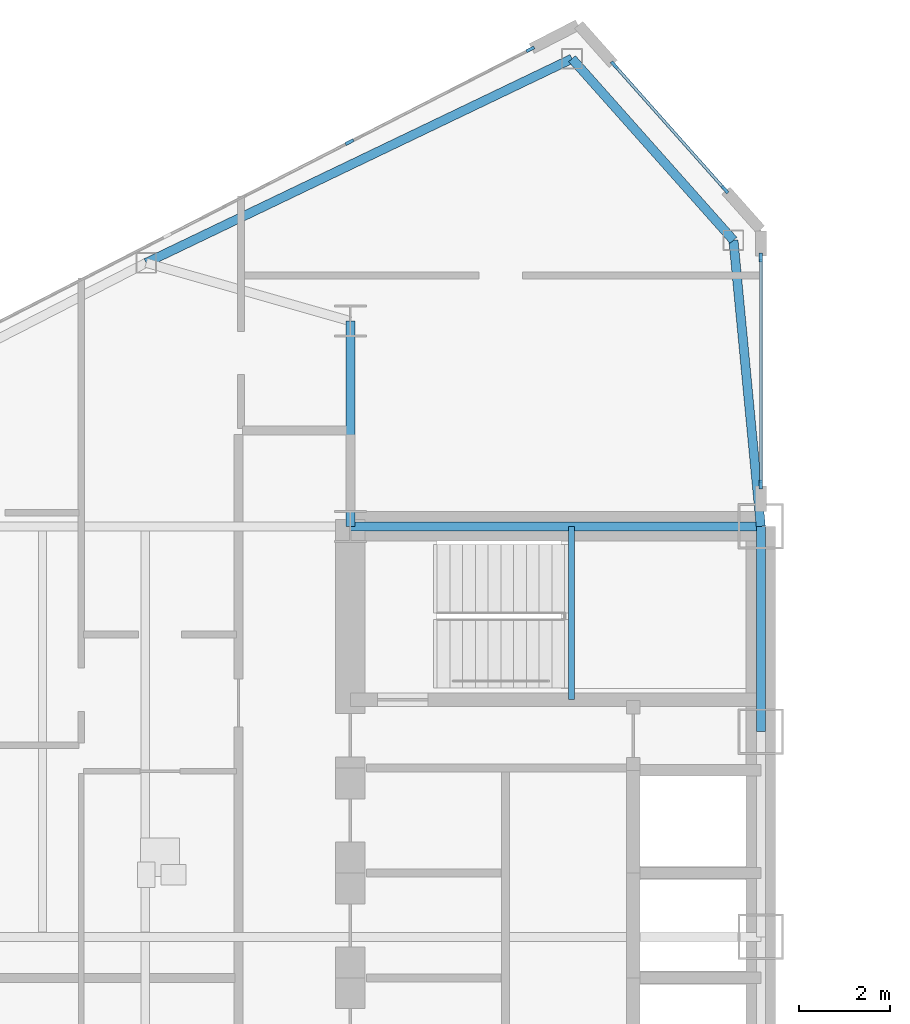
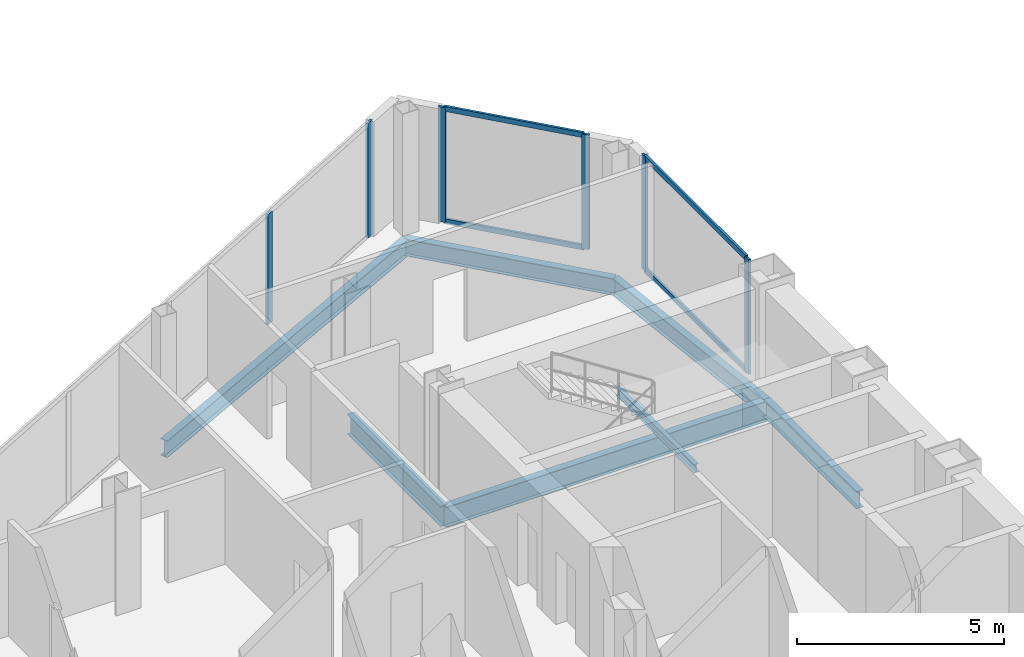
# One storey, part 7 of 24: 10 members, 7 beams, 3 elements without a shape of their own.
"""IFC4 building model written with IfcOpenShell, lengths in metres."""

from ifc_helpers import new_model, si_unit, direction, frame, origin, origin_2d, place, context, subcontext, project, spatial, rectangle, i_section, extrude, source, transform, mapped, material, layer, layer_set, material_profile, profile_set, type_object, type_shapes, element, aggregate, save


model = new_model("IFC4")

# Units and contexts
model_context = context("Model", 3, precision=1e-05, world=origin(), true_north=direction((0.0, 1.0)))
body_context = subcontext(model_context, "Body", "Model", "MODEL_VIEW")
ifc_project = project(units=[si_unit("LENGTHUNIT", "METRE"), si_unit("AREAUNIT", "SQUARE_METRE"), si_unit("VOLUMEUNIT", "CUBIC_METRE"), si_unit("PLANEANGLEUNIT", "RADIAN"), si_unit("MASSUNIT", "GRAM", prefix="KILO")], contexts=[model_context])

# Site, building, storey
site_placement = place(None, origin())
site = spatial("IfcSite", under=ifc_project, at=site_placement, CompositionType="ELEMENT")
building_placement = place(site_placement, origin())
building = spatial("IfcBuilding", under=site, at=building_placement, Name="Seokmaru Belvedere", CompositionType="ELEMENT")
storey_placement = place(building_placement, frame((0.0, 0.0, 121.199951171875)))
storey = spatial("IfcBuildingStorey", under=building, at=storey_placement, Name="L32", CompositionType="ELEMENT", Elevation=121.199951171875)

# Beams
ifc_material_1 = material(Name="Steel SM355 (355 MPa)", Category="steel")
ifc_material_profile_1 = material_profile(ifc_material_1, i_section(OverallWidth=0.199951171875, OverallDepth=0.5, WebThickness=0.010009765625, FlangeThickness=0.01611328125, at=origin_2d()), Name="H-500x200x10x16")
ifc_profile_set_1 = profile_set([ifc_material_profile_1], Name="Steel SM355 (355 MPa)")
beam_type_1 = type_object("IfcBeamType", Name="Perimeter Spandrel Beam H-500", PredefinedType="SPANDREL", material=ifc_profile_set_1)
shared_shape_1 = source(origin(), body_context, "Body", "SweptSolid", [
    extrude(i_section(OverallWidth=0.199951171875, OverallDepth=0.5, WebThickness=0.010009765625, FlangeThickness=0.01611328125, at=origin_2d()), origin(), (0.0, 0.0, 1.0), 4.5),
])
beam_1_placement = place(storey_placement, frame((-27.5, 9.0, -0.469970703125), z_axis=(0.0, 1.0, 0.0), x_axis=(-1.0, 0.0, 0.0)))
element("IfcBeam", 1, at=beam_1_placement, inside=storey, type_object=beam_type_1, Name="L32 W Portal Spine Spandrel 5", PredefinedType="SPANDREL", context=body_context, shape_type="MappedRepresentation", body=[
    mapped(shared_shape_1, transform((0.0, 0.0, 0.0), scale=1.0)),
])
ifc_material_profile_2 = material_profile(ifc_material_1, i_section(OverallWidth=0.199951171875, OverallDepth=0.60009765625, WebThickness=0.010986328125, FlangeThickness=0.01708984375, at=origin_2d()), Name="H-600x200x11x17")
ifc_profile_set_2 = profile_set([ifc_material_profile_2], Name="Steel SM355 (355 MPa)")
beam_type_2 = type_object("IfcBeamType", Name="Primary Floor Girder H-600", PredefinedType="BEAM", material=ifc_profile_set_2)
shared_shape_2 = source(origin(), body_context, "Body", "SweptSolid", [
    extrude(i_section(OverallWidth=0.199951171875, OverallDepth=0.60009765625, WebThickness=0.010986328125, FlangeThickness=0.01708984375, at=origin_2d()), origin(), (0.0, 0.0, 1.0), 9.0),
])
beam_2_placement = place(storey_placement, frame((-36.5, 13.5, -0.52001953125), z_axis=(1.0, 0.0, 0.0), x_axis=(0.0, 1.0, 0.0)))
element("IfcBeam", 2, at=beam_2_placement, inside=storey, type_object=beam_type_2, Name="L32 W Core Tie Girder 4", PredefinedType="BEAM", context=body_context, shape_type="MappedRepresentation", body=[
    mapped(shared_shape_2, transform((0.0, 0.0, 0.0), scale=1.0)),
])
shared_shape_3 = source(origin(), body_context, "Body", "SweptSolid", [
    extrude(i_section(OverallWidth=0.199951171875, OverallDepth=0.60009765625, WebThickness=0.010986328125, FlangeThickness=0.01708984375, at=origin_2d()), origin(), (0.0, 0.0, 1.0), 4.5),
])
type_shapes(beam_type_2, [shared_shape_2, shared_shape_3])
beam_3_placement = place(storey_placement, frame((-36.5, 13.5, -0.52001953125), z_axis=(0.0, 1.0, 0.0), x_axis=(-1.0, 0.0, 0.0)))
element("IfcBeam", 3, at=beam_3_placement, inside=storey, type_object=beam_type_2, Name="L32 W Core Shoulder Girder N", PredefinedType="BEAM", context=body_context, shape_type="MappedRepresentation", body=[
    mapped(shared_shape_3, transform((0.0, 0.0, 0.0), scale=1.0)),
])
shared_shape_4 = source(origin(), body_context, "Body", "SweptSolid", [
    extrude(i_section(OverallWidth=0.199951171875, OverallDepth=0.5, WebThickness=0.010009765625, FlangeThickness=0.01611328125, at=origin_2d()), origin(), (0.0, 0.0, 1.0), 10.353759765625),
])
beam_4_placement = place(storey_placement, frame((-31.6396484375, 23.75390625, -0.469970703125), z_axis=(-0.901713202822, -0.432334708134, 0.0), x_axis=(0.432334708134, -0.901713202822, 0.0)))
element("IfcBeam", 4, at=beam_4_placement, inside=storey, type_object=beam_type_1, Name="L32 W Faceted Flank Spandrel N-1", PredefinedType="SPANDREL", context=body_context, shape_type="MappedRepresentation", body=[
    mapped(shared_shape_4, transform((0.0, 0.0, 0.0), scale=1.0)),
])
shared_shape_5 = source(origin(), body_context, "Body", "SweptSolid", [
    extrude(i_section(OverallWidth=0.199951171875, OverallDepth=0.5, WebThickness=0.010009765625, FlangeThickness=0.01611328125, at=origin_2d()), origin(), (0.0, 0.0, 1.0), 5.32763671875),
])
beam_5_placement = place(storey_placement, frame((-31.6396484375, 23.75390625, -0.469970703125), z_axis=(0.66436952742, -0.74740426212, 0.0), x_axis=(0.74740426212, 0.66436952742, 0.0)))
element("IfcBeam", 5, at=beam_5_placement, inside=storey, type_object=beam_type_1, Name="L32 W Shoulder Chamfer Spandrel N", PredefinedType="SPANDREL", context=body_context, shape_type="MappedRepresentation", body=[
    mapped(shared_shape_5, transform((0.0, 0.0, 0.0), scale=1.0)),
])
shared_shape_6 = source(origin(), body_context, "Body", "SweptSolid", [
    extrude(i_section(OverallWidth=0.199951171875, OverallDepth=0.5, WebThickness=0.010009765625, FlangeThickness=0.01611328125, at=origin_2d()), origin(), (0.0, 0.0, 1.0), 6.300537109375),
])
type_shapes(beam_type_1, [shared_shape_1, shared_shape_4, shared_shape_5, shared_shape_6])
beam_6_placement = place(storey_placement, frame((-28.10009765625, 19.77197265625, -0.469970703125), z_axis=(0.095244287992, -0.995453929424, 0.0), x_axis=(0.995453929424, 0.095244287992, 0.0)))
element("IfcBeam", 6, at=beam_6_placement, inside=storey, type_object=beam_type_1, Name="L32 W Shoulder Spine Spandrel N", PredefinedType="SPANDREL", context=body_context, shape_type="MappedRepresentation", body=[
    mapped(shared_shape_6, transform((0.0, 0.0, 0.0), scale=1.0)),
])

# Curtain wall, members
ifc_material_2 = material(Name="Bronze Triple Insulating Glass", Category="glass")
ifc_layer = layer(ifc_material_2, 0.195068359375)
ifc_layer_set = layer_set([ifc_layer], Name="Bronze Triple Insulating Glass")
curtain_wall_type = type_object("IfcCurtainWallType", Name="Sky-Lobby and Mid-Rise Curtain Wall System CW-4", PredefinedType="NOTDEFINED", material=ifc_layer_set)
curtain_wall_1_placement = place(storey_placement, origin())
curtain_wall_1 = element("IfcCurtainWall", 7, at=curtain_wall_1_placement, inside=storey, type_object=curtain_wall_type, Name="L32 Curtain Wall WSP_2", PredefinedType="NOTDEFINED")
ifc_material_3 = material(Name="Anodised Bronze Aluminium", Category="aluminium")
ifc_material_profile_3 = material_profile(ifc_material_3, rectangle(XDim=0.070068359375, YDim=0.195068359375, at=origin_2d()), Name="CW-M-70x195")
ifc_profile_set_3 = profile_set([ifc_material_profile_3], Name="Anodised Bronze Aluminium")
member_type_1 = type_object("IfcMemberType", Name="Bronze Unitised Mullion 70x195", PredefinedType="MULLION", material=ifc_profile_set_3)
shared_shape_7 = source(origin(), body_context, "Body", "SweptSolid", [
    extrude(rectangle(XDim=0.070068359375, YDim=0.195068359375, at=origin_2d()), origin(), (0.0, 0.0, 1.0), 3.380126953125),
])
member_1_placement = place(storey_placement, frame((-27.5, 14.4150390625, 0.0), z_axis=(0.0, 0.0, 1.0), x_axis=(-1.0, 0.0, 0.0)))
member_1 = element("IfcMember", 8, at=member_1_placement, type_object=member_type_1, Name="CW:L32:WSP_2 Mullion 1", PredefinedType="MULLION", context=body_context, shape_type="MappedRepresentation", body=[
    mapped(shared_shape_7, transform((0.0, 0.0, 0.0), scale=1.0)),
])
member_2_placement = place(storey_placement, frame((-27.5, 19.39501953125, 0.0), z_axis=(0.0, 0.0, 1.0), x_axis=(-1.0, 0.0, 0.0)))
member_2 = element("IfcMember", 9, at=member_2_placement, type_object=member_type_1, Name="CW:L32:WSP_2 Mullion 2", PredefinedType="MULLION", context=body_context, shape_type="MappedRepresentation", body=[
    mapped(shared_shape_7, transform((0.0, 0.0, 0.0), scale=1.0)),
])

curtain_wall_2_placement = place(storey_placement, origin())
curtain_wall_2 = element("IfcCurtainWall", 10, at=curtain_wall_2_placement, inside=storey, type_object=curtain_wall_type, Name="L32 Curtain Wall WF2", PredefinedType="NOTDEFINED")
member_3_placement = place(storey_placement, frame((-28.287353515625, 20.8857421875, 0.0), z_axis=(0.0, 0.0, 1.0), x_axis=(-0.747409774804, -0.664363325694, 0.0)))
member_3 = element("IfcMember", 11, at=member_3_placement, type_object=member_type_1, Name="CW:L32:WF2 Mullion 1", PredefinedType="MULLION", context=body_context, shape_type="MappedRepresentation", body=[
    mapped(shared_shape_7, transform((0.0, 0.0, 0.0), scale=1.0)),
])
member_4_placement = place(storey_placement, frame((-30.712646484375, 23.6142578125, 0.0), z_axis=(0.0, 0.0, 1.0), x_axis=(-0.747409774804, -0.664363325694, 0.0)))
member_4 = element("IfcMember", 12, at=member_4_placement, type_object=member_type_1, Name="CW:L32:WF2 Mullion 2", PredefinedType="MULLION", context=body_context, shape_type="MappedRepresentation", body=[
    mapped(shared_shape_7, transform((0.0, 0.0, 0.0), scale=1.0)),
])

# Curtain wall, member
curtain_wall_3_placement = place(storey_placement, origin())
curtain_wall_3 = element("IfcCurtainWall", 13, at=curtain_wall_3_placement, inside=storey, type_object=curtain_wall_type, Name="L32 Curtain Wall WF3", PredefinedType="NOTDEFINED")
member_5_placement = place(storey_placement, frame((-32.55419921875, 23.958984375, 0.0), z_axis=(0.0, 0.0, 1.0), x_axis=(0.456554528263, -0.889695432562, 0.0)))
member_5 = element("IfcMember", 14, at=member_5_placement, type_object=member_type_1, Name="CW:L32:WF3 Mullion 1", PredefinedType="MULLION", context=body_context, shape_type="MappedRepresentation", body=[
    mapped(shared_shape_7, transform((0.0, 0.0, 0.0), scale=1.0)),
])

# Member
ifc_material_profile_4 = material_profile(ifc_material_3, rectangle(XDim=0.06494140625, YDim=0.14990234375, at=origin_2d()), Name="CW-T-65x150")
ifc_profile_set_4 = profile_set([ifc_material_profile_4], Name="Anodised Bronze Aluminium")
member_type_2 = type_object("IfcMemberType", Name="Bronze Unitised Transom 65x150", PredefinedType="USERDEFINED", material=ifc_profile_set_4)
shared_shape_8 = source(origin(), body_context, "Body", "SweptSolid", [
    extrude(rectangle(XDim=0.06494140625, YDim=0.14990234375, at=origin_2d()), origin(), (0.0, 0.0, 1.0), 4.91015625),
])
member_6_placement = place(storey_placement, frame((-27.5, 14.449951171875, 0.032470703125), z_axis=(0.0, 1.0, 0.0), x_axis=(-1.0, 0.0, 0.0)))
member_6 = element("IfcMember", 15, at=member_6_placement, type_object=member_type_2, Name="CW:L32:WSP_2 Continuous Transom 1", ObjectType="TRANSOM", PredefinedType="USERDEFINED", context=body_context, shape_type="MappedRepresentation", body=[
    mapped(shared_shape_8, transform((0.0, 0.0, 0.0), scale=1.0)),
])

member_7_placement = place(storey_placement, frame((-27.5, 14.449951171875, 3.34765625), z_axis=(0.0, 1.0, 0.0), x_axis=(-1.0, 0.0, 0.0)))
member_7 = element("IfcMember", 16, at=member_7_placement, type_object=member_type_2, Name="CW:L32:WSP_2 Continuous Transom 2", ObjectType="TRANSOM", PredefinedType="USERDEFINED", context=body_context, shape_type="MappedRepresentation", body=[
    mapped(shared_shape_8, transform((0.0, 0.0, 0.0), scale=1.0)),
])

aggregate(curtain_wall_1, [member_1, member_2, member_6, member_7])

shared_shape_9 = source(origin(), body_context, "Body", "SweptSolid", [
    extrude(rectangle(XDim=0.06494140625, YDim=0.14990234375, at=origin_2d()), origin(), (0.0, 0.0, 1.0), 3.580810546875),
])
type_shapes(member_type_2, [shared_shape_8, shared_shape_9])
member_8_placement = place(storey_placement, frame((-28.310546875, 20.911865234375, 0.032470703125), z_axis=(-0.66436383883, 0.747409318684, 0.0), x_axis=(-0.747409318684, -0.66436383883, 0.0)))
member_8 = element("IfcMember", 17, at=member_8_placement, type_object=member_type_2, Name="CW:L32:WF2 Continuous Transom 1", ObjectType="TRANSOM", PredefinedType="USERDEFINED", context=body_context, shape_type="MappedRepresentation", body=[
    mapped(shared_shape_9, transform((0.0, 0.0, 0.0), scale=1.0)),
])

member_9_placement = place(storey_placement, frame((-28.310546875, 20.911865234375, 3.34765625), z_axis=(-0.66436383883, 0.747409318684, 0.0), x_axis=(-0.747409318684, -0.66436383883, 0.0)))
member_9 = element("IfcMember", 18, at=member_9_placement, type_object=member_type_2, Name="CW:L32:WF2 Continuous Transom 2", ObjectType="TRANSOM", PredefinedType="USERDEFINED", context=body_context, shape_type="MappedRepresentation", body=[
    mapped(shared_shape_9, transform((0.0, 0.0, 0.0), scale=1.0)),
])

aggregate(curtain_wall_2, [member_3, member_4, member_8, member_9])

shared_shape_10 = source(origin(), body_context, "Body", "SweptSolid", [
    extrude(rectangle(XDim=0.070068359375, YDim=0.195068359375, at=origin_2d()), origin(), (0.0, 0.0, 1.0), 3.25),
])
type_shapes(member_type_1, [shared_shape_7, shared_shape_10])
member_10_placement = place(storey_placement, frame((-36.51806640625, 21.925048828125, 0.06494140625), z_axis=(0.0, 0.0, 1.0), x_axis=(0.456554528263, -0.889695432562, 0.0)))
member_10 = element("IfcMember", 19, at=member_10_placement, type_object=member_type_1, Name="CW:L32:WF3 Mullion 2", PredefinedType="MULLION", context=body_context, shape_type="MappedRepresentation", body=[
    mapped(shared_shape_10, transform((0.0, 0.0, 0.0), scale=1.0)),
])

aggregate(curtain_wall_3, [member_5, member_10])

# Beam
ifc_material_profile_5 = material_profile(ifc_material_1, i_section(OverallWidth=0.125, OverallDepth=0.25, WebThickness=0.006103515625, FlangeThickness=0.009033203125, at=origin_2d()), Name="H-250x125x6x9")
ifc_profile_set_5 = profile_set([ifc_material_profile_5], Name="Steel SM355 (355 MPa)")
beam_type_3 = type_object("IfcBeamType", Name="Stair Mid-Landing Support Beam H-250", PredefinedType="JOIST", material=ifc_profile_set_5)
shared_shape_11 = source(origin(), body_context, "Body", "SweptSolid", [
    extrude(i_section(OverallWidth=0.125, OverallDepth=0.25, WebThickness=0.006103515625, FlangeThickness=0.009033203125, at=origin_2d()), origin(), (0.0, 0.0, 1.0), 3.800048828125),
])
type_shapes(beam_type_3, [shared_shape_11])
beam_7_placement = place(storey_placement, frame((-31.64990234375, 9.699951171875, 1.47509765625), z_axis=(0.0, 1.0, 0.0), x_axis=(-1.0, 0.0, 0.0)))
element("IfcBeam", 20, at=beam_7_placement, inside=storey, type_object=beam_type_3, Name="L32 Stair ST-W2 Mid-Landing Support Beam 1", PredefinedType="JOIST", context=body_context, shape_type="MappedRepresentation", body=[
    mapped(shared_shape_11, transform((0.0, 0.0, 0.0), scale=1.0)),
])

save(model, "model.ifc")
